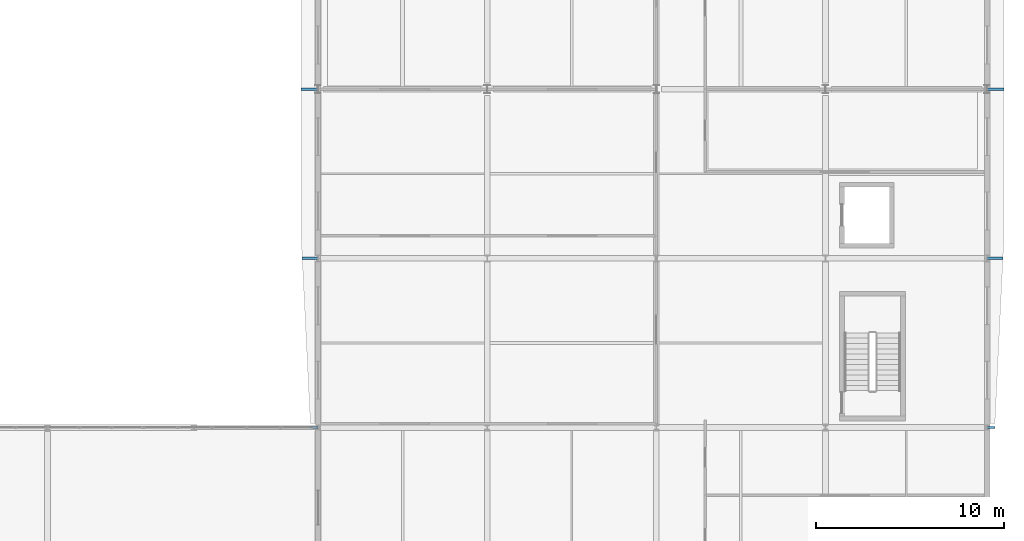
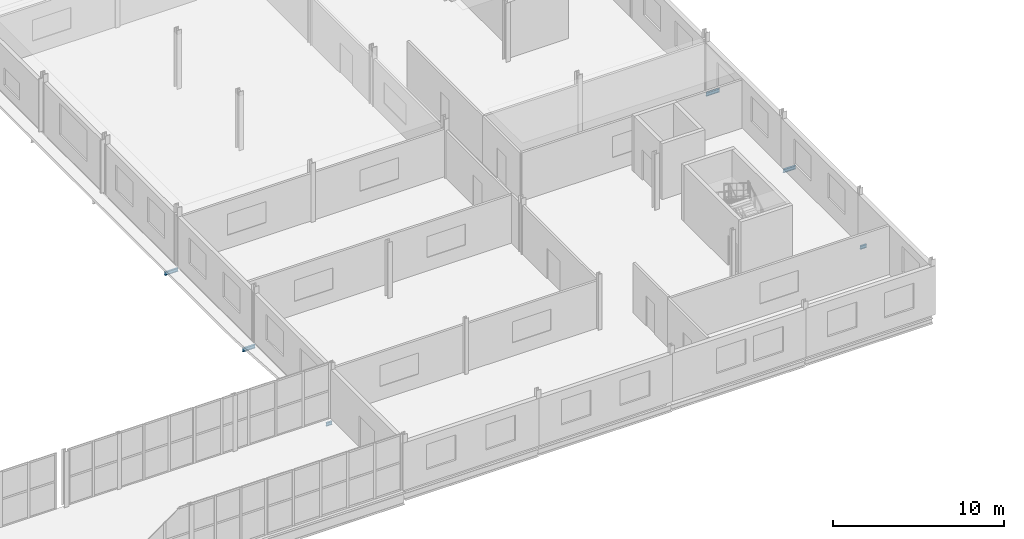
# One storey, part 92 of 138: 6 beams.
"""IFC4 building model written with IfcOpenShell, lengths in metres."""

from ifc_helpers import new_model, si_unit, direction, frame, origin, origin_2d, place, context, subcontext, project, spatial, i_section, extrude, material, material_profile, profile_set, type_object, element, save


model = new_model("IFC4")

# Units and contexts
model_context = context("Model", 3, precision=1e-05, world=origin(), true_north=direction((0.0, 1.0)))
body_context = subcontext(model_context, "Body", "Model", "MODEL_VIEW")
ifc_project = project(units=[si_unit("LENGTHUNIT", "METRE"), si_unit("AREAUNIT", "SQUARE_METRE"), si_unit("VOLUMEUNIT", "CUBIC_METRE"), si_unit("PLANEANGLEUNIT", "RADIAN"), si_unit("MASSUNIT", "GRAM", prefix="KILO")], contexts=[model_context])

# Site, building, storey
site_placement = place(None, origin())
site = spatial("IfcSite", under=ifc_project, at=site_placement, CompositionType="ELEMENT")
building_placement = place(site_placement, origin())
building = spatial("IfcBuilding", under=site, at=building_placement, Name="Vinh Khe Railworks Police Headquarters", CompositionType="ELEMENT")
storey_placement = place(building_placement, frame((0.0, 0.0, 9.0)))
storey = spatial("IfcBuildingStorey", under=building, at=storey_placement, Name="L02", CompositionType="ELEMENT", Elevation=9.0)

# Beams
ifc_material = material(Name="Steel S355JR", Category="steel")
ifc_material_profile = material_profile(ifc_material, i_section(OverallWidth=0.1201171875, OverallDepth=0.239990234375, WebThickness=0.006103515625, FlangeThickness=0.009765625, FilletRadius=0.014892578125, at=origin_2d()), Name="IPE 240")
ifc_profile_set = profile_set([ifc_material_profile], Name="Steel S355JR")
beam_type = type_object("IfcBeamType", Name="Monsoon Hood Outrigger IPE 240", PredefinedType="BEAM", material=ifc_profile_set)
beam_1_placement = place(storey_placement, frame((77.58740234375, 104.39990234375, -0.360107421875), z_axis=(1.0, 0.0, 0.0), x_axis=(0.0, 1.0, 0.0)))
element("IfcBeam", 1, at=beam_1_placement, inside=storey, type_object=beam_type, Name="Monsoon Sun-Hood Outrigger L02-168", PredefinedType="BEAM", context=body_context, shape_type="SweptSolid", body=[
    extrude(i_section(OverallWidth=0.1201171875, OverallDepth=0.239990234375, WebThickness=0.006103515625, FlangeThickness=0.009765625, FilletRadius=0.014892578125, at=origin_2d()), origin(), (0.0, 0.0, 1.0), 0.41259765625),
])
beam_2_placement = place(storey_placement, frame((77.153564453125, 113.39990234375, -0.360107421875), z_axis=(1.0, 0.0, 0.0), x_axis=(0.0, 1.0, 0.0)))
element("IfcBeam", 2, at=beam_2_placement, inside=storey, type_object=beam_type, Name="Monsoon Sun-Hood Outrigger L02-169", PredefinedType="BEAM", context=body_context, shape_type="SweptSolid", body=[
    extrude(i_section(OverallWidth=0.1201171875, OverallDepth=0.239990234375, WebThickness=0.006103515625, FlangeThickness=0.009765625, FilletRadius=0.014892578125, at=origin_2d()), origin(), (0.0, 0.0, 1.0), 0.846435546875),
])
beam_3_placement = place(storey_placement, frame((77.10009765625, 122.39990234375, -0.360107421875), z_axis=(1.0, 0.0, 0.0), x_axis=(0.0, 1.0, 0.0)))
element("IfcBeam", 3, at=beam_3_placement, inside=storey, type_object=beam_type, Name="Monsoon Sun-Hood Outrigger L02-170", PredefinedType="BEAM", context=body_context, shape_type="SweptSolid", body=[
    extrude(i_section(OverallWidth=0.1201171875, OverallDepth=0.239990234375, WebThickness=0.006103515625, FlangeThickness=0.009765625, FilletRadius=0.014892578125, at=origin_2d()), origin(), (0.0, 0.0, 1.0), 0.89990234375),
])
beam_4_placement = place(storey_placement, frame((113.60009765625, 104.39990234375, -0.360107421875), z_axis=(1.0, 0.0, 0.0), x_axis=(0.0, 1.0, 0.0)))
element("IfcBeam", 4, at=beam_4_placement, inside=storey, type_object=beam_type, Name="Monsoon Sun-Hood Outrigger L02-177", PredefinedType="BEAM", context=body_context, shape_type="SweptSolid", body=[
    extrude(i_section(OverallWidth=0.1201171875, OverallDepth=0.239990234375, WebThickness=0.006103515625, FlangeThickness=0.009765625, FilletRadius=0.014892578125, at=origin_2d()), origin(), (0.0, 0.0, 1.0), 0.4189453125),
])
beam_5_placement = place(storey_placement, frame((113.60009765625, 113.39990234375, -0.360107421875), z_axis=(1.0, 0.0, 0.0), x_axis=(0.0, 1.0, 0.0)))
element("IfcBeam", 5, at=beam_5_placement, inside=storey, type_object=beam_type, Name="Monsoon Sun-Hood Outrigger L02-178", PredefinedType="BEAM", context=body_context, shape_type="SweptSolid", body=[
    extrude(i_section(OverallWidth=0.1201171875, OverallDepth=0.239990234375, WebThickness=0.006103515625, FlangeThickness=0.009765625, FilletRadius=0.014892578125, at=origin_2d()), origin(), (0.0, 0.0, 1.0), 0.846923828125),
])
beam_6_placement = place(storey_placement, frame((113.60009765625, 122.39990234375, -0.360107421875), z_axis=(1.0, 0.0, 0.0), x_axis=(0.0, 1.0, 0.0)))
element("IfcBeam", 6, at=beam_6_placement, inside=storey, type_object=beam_type, Name="Monsoon Sun-Hood Outrigger L02-179", PredefinedType="BEAM", context=body_context, shape_type="SweptSolid", body=[
    extrude(i_section(OverallWidth=0.1201171875, OverallDepth=0.239990234375, WebThickness=0.006103515625, FlangeThickness=0.009765625, FilletRadius=0.014892578125, at=origin_2d()), origin(), (0.0, 0.0, 1.0), 0.89990234375),
])

save(model, "model.ifc")
